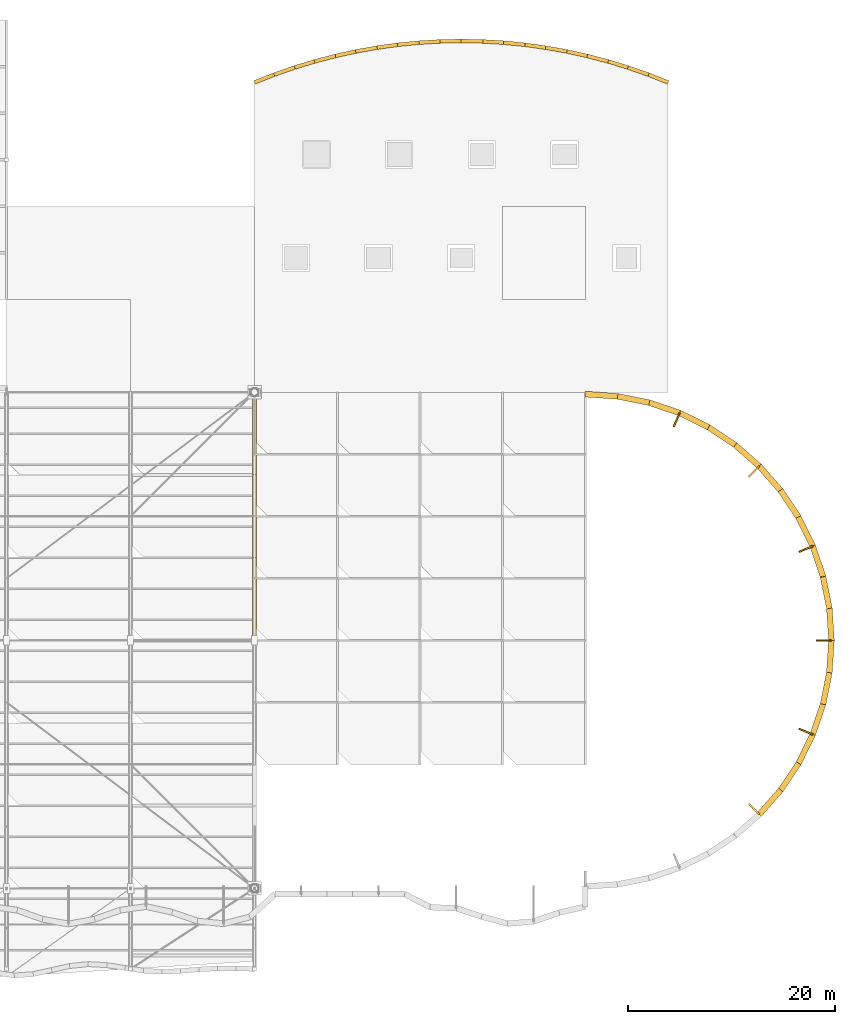
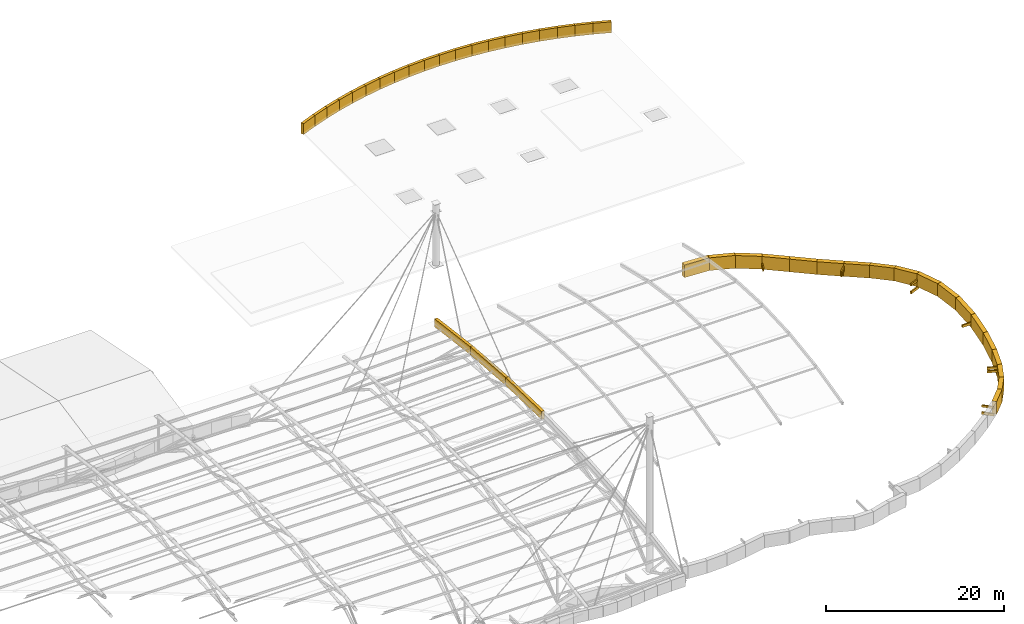
# One storey, part 27 of 29: 51 coverings.
"""IFC4 building model written with IfcOpenShell, lengths in metres."""

from ifc_helpers import new_model, si_unit, direction, frame, frame_2d, origin, place, context, subcontext, project, spatial, polyline, rectangle, outline, extrude, material, layer, layer_set, type_object, element, save


model = new_model("IFC4")

# Units and contexts
model_context = context("Model", 3, precision=1e-05, world=origin(), true_north=direction((0.0, 1.0)))
body_context = subcontext(model_context, "Body", "Model", "MODEL_VIEW")
ifc_project = project(units=[si_unit("LENGTHUNIT", "METRE"), si_unit("AREAUNIT", "SQUARE_METRE"), si_unit("VOLUMEUNIT", "CUBIC_METRE"), si_unit("PLANEANGLEUNIT", "RADIAN"), si_unit("MASSUNIT", "GRAM", prefix="KILO")], contexts=[model_context])

# Site, building, storey
site_placement = place(None, origin())
site = spatial("IfcSite", under=ifc_project, at=site_placement, CompositionType="ELEMENT")
building_placement = place(site_placement, origin())
building = spatial("IfcBuilding", under=site, at=building_placement, Name="Keelwater Ferry Terminal", CompositionType="ELEMENT")
storey_placement = place(building_placement, frame((0.0, 0.0, 27.89990234375)))
storey = spatial("IfcBuildingStorey", under=building, at=storey_placement, Name="RF", CompositionType="ELEMENT", Elevation=27.89990234375)

# Coverings
ifc_material = material(Name="Matte white architectural aluminium fascia ribbon", Category="aluminium")
ifc_layer = layer(ifc_material, 0.1201171875)
ifc_layer_set = layer_set([ifc_layer], Name="Matte white architectural aluminium fascia ribbon")
covering_type = type_object("IfcCoveringType", Name="RB-WHT Matte White Fascia Ribbon", PredefinedType="CLADDING", material=ifc_layer_set)
covering_1_placement = place(storey_placement, frame((180.826904296875, 49.137939453125, -13.31982421875), z_axis=(0.0, 0.0, 1.0), x_axis=(0.65931776004, 0.75186441018, 0.0)))
element("IfcCovering", 1, at=covering_1_placement, inside=storey, type_object=covering_type, Name="Overhanging Roof-Edge Wave Fascia Ribbon 660", PredefinedType="CLADDING", context=body_context, shape_type="SweptSolid", body=[
    extrude(outline(polyline([(0.0, 0.472900390625), (3.16552734375, 0.0), (3.16552734375, 1.75), (0.0, 2.222900390625), (0.0, 0.472900390625)])), frame((0.0, 0.280029296875, 0.0), z_axis=(0.0, -1.0, 0.0), x_axis=(1.0, 0.0, 0.0)), (0.0, 0.0, 1.0), 0.56005859375),
])
covering_2_placement = place(storey_placement, frame((180.843017578125, 49.156982421875, -12.11181640625), z_axis=(0.0, 0.0, 1.0), x_axis=(-0.707106781187, 0.707106781187, 0.0)))
element("IfcCovering", 2, at=covering_2_placement, inside=storey, type_object=covering_type, Name="Ribbon Horizontal Tie Bracket 663", PredefinedType="CLADDING", context=body_context, shape_type="SweptSolid", body=[
    extrude(rectangle(XDim=1.449462890625, YDim=0.159912109375, at=frame_2d((0.724609375, 0.0))), origin(), (0.0, 0.0, 1.0), 0.280029296875),
])
covering_3_placement = place(storey_placement, frame((180.843017578125, 49.156982421875, -13.119873046875), z_axis=(0.0, 0.0, 1.0), x_axis=(-0.707106781187, 0.707106781187, 0.0)))
element("IfcCovering", 3, at=covering_3_placement, inside=storey, type_object=covering_type, Name="Ribbon Roof Eave Tie Bracket 666", PredefinedType="CLADDING", context=body_context, shape_type="SweptSolid", body=[
    extrude(rectangle(XDim=1.449462890625, YDim=0.159912109375, at=frame_2d((0.724609375, 0.0))), origin(), (0.0, 0.0, 1.0), 0.340087890625),
])
covering_4_placement = place(storey_placement, frame((182.884033203125, 51.47802734375, -13.8837890625), z_axis=(0.0, 0.0, 1.0), x_axis=(0.55550058618, 0.831516144614, 0.0)))
element("IfcCovering", 4, at=covering_4_placement, inside=storey, type_object=covering_type, Name="Overhanging Roof-Edge Wave Fascia Ribbon 671", PredefinedType="CLADDING", context=body_context, shape_type="SweptSolid", body=[
    extrude(outline(polyline([(0.0, 0.56396484375), (3.16650390625, 0.0), (3.16650390625, 1.75), (0.0, 2.31396484375), (0.0, 0.56396484375)])), frame((0.0, 0.280029296875, 0.0), z_axis=(0.0, -1.0, 0.0), x_axis=(1.0, 0.0, 0.0)), (0.0, 0.0, 1.0), 0.56005859375),
])
covering_5_placement = place(storey_placement, frame((184.617919921875, 54.068115234375, -14.287841796875), z_axis=(0.0, 0.0, 1.0), x_axis=(0.442454846905, 0.896790782987, 0.0)))
element("IfcCovering", 5, at=covering_5_placement, inside=storey, type_object=covering_type, Name="Overhanging Roof-Edge Wave Fascia Ribbon 675", PredefinedType="CLADDING", context=body_context, shape_type="SweptSolid", body=[
    extrude(outline(polyline([(0.0, 0.404052734375), (3.16455078125, 0.0), (3.16455078125, 1.75), (0.0, 2.154052734375), (0.0, 0.404052734375)])), frame((0.0, 0.280029296875, 0.0), z_axis=(0.0, -1.0, 0.0), x_axis=(1.0, 0.0, 0.0)), (0.0, 0.0, 1.0), 0.56005859375),
])
covering_6_placement = place(storey_placement, frame((185.9990234375, 56.860107421875, -14.35400390625), z_axis=(0.0, 0.0, 1.0), x_axis=(0.321196336342, 0.94701262585, 0.0)))
element("IfcCovering", 6, at=covering_6_placement, inside=storey, type_object=covering_type, Name="Overhanging Roof-Edge Wave Fascia Ribbon 679", PredefinedType="CLADDING", context=body_context, shape_type="SweptSolid", body=[
    extrude(outline(polyline([(0.0, 0.066162109375), (3.16650390625, 0.0), (3.16650390625, 1.75), (0.0, 1.816162109375), (0.0, 0.066162109375)])), frame((0.0, 0.280029296875, 0.0), z_axis=(0.0, -1.0, 0.0), x_axis=(1.0, 0.0, 0.0)), (0.0, 0.0, 1.0), 0.56005859375),
])
covering_7_placement = place(storey_placement, frame((186.007080078125, 56.884033203125, -13.552978515625), z_axis=(0.0, 0.0, 1.0), x_axis=(-0.923916320312, 0.382594606681, 0.0)))
element("IfcCovering", 7, at=covering_7_placement, inside=storey, type_object=covering_type, Name="Ribbon Horizontal Tie Bracket 683", PredefinedType="CLADDING", context=body_context, shape_type="SweptSolid", body=[
    extrude(rectangle(XDim=1.450439453125, YDim=0.159912109375, at=frame_2d((0.72509765625, 0.0))), origin(), (0.0, 0.0, 1.0), 0.280029296875),
])
covering_8_placement = place(storey_placement, frame((186.007080078125, 56.884033203125, -13.119873046875), z_axis=(0.0, 0.0, 1.0), x_axis=(-0.923916320312, 0.382594606681, 0.0)))
element("IfcCovering", 8, at=covering_8_placement, inside=storey, type_object=covering_type, Name="Ribbon Roof Eave Tie Bracket 686", PredefinedType="CLADDING", context=body_context, shape_type="SweptSolid", body=[
    extrude(rectangle(XDim=1.450439453125, YDim=0.159912109375, at=frame_2d((0.72509765625, 0.0))), origin(), (0.0, 0.0, 1.0), 0.340087890625),
])
covering_9_placement = place(storey_placement, frame((187.0029296875, 59.81005859375, -14.35400390625), z_axis=(0.0, 0.0, 1.0), x_axis=(0.195196875454, 0.98076407959, 0.0)))
element("IfcCovering", 9, at=covering_9_placement, inside=storey, type_object=covering_type, Name="Overhanging Roof-Edge Wave Fascia Ribbon 691", PredefinedType="CLADDING", context=body_context, shape_type="SweptSolid", body=[
    extrude(outline(polyline([(0.0, 0.0), (3.1669921875, 0.30419921875), (3.1669921875, 2.05419921875), (0.0, 1.75), (0.0, 0.0)])), frame((0.0, 0.280029296875, 0.0), z_axis=(0.0, -1.0, 0.0), x_axis=(1.0, 0.0, 0.0)), (0.0, 0.0, 1.0), 0.56005859375),
])
covering_10_placement = place(storey_placement, frame((187.614013671875, 62.865966796875, -14.0498046875), z_axis=(0.0, 0.0, 1.0), x_axis=(0.065705147067, 0.997839082041, 0.0)))
element("IfcCovering", 10, at=covering_10_placement, inside=storey, type_object=covering_type, Name="Overhanging Roof-Edge Wave Fascia Ribbon 695", PredefinedType="CLADDING", context=body_context, shape_type="SweptSolid", body=[
    extrude(outline(polyline([(0.0, 0.0), (3.165771484375, 0.535888671875), (3.165771484375, 2.285888671875), (0.0, 1.75), (0.0, 0.0)])), frame((0.0, 0.280029296875, 0.0), z_axis=(0.0, -1.0, 0.0), x_axis=(1.0, 0.0, 0.0)), (0.0, 0.0, 1.0), 0.56005859375),
])
covering_11_placement = place(storey_placement, frame((187.822021484375, 65.97509765625, -13.513916015625), z_axis=(0.0, 0.0, 1.0), x_axis=(-0.065705147067, 0.997839082041, 0.0)))
element("IfcCovering", 11, at=covering_11_placement, inside=storey, type_object=covering_type, Name="Overhanging Roof-Edge Wave Fascia Ribbon 699", PredefinedType="CLADDING", context=body_context, shape_type="SweptSolid", body=[
    extrude(outline(polyline([(0.0, 0.0), (3.165771484375, 0.531982421875), (3.165771484375, 2.281982421875), (0.0, 1.75), (0.0, 0.0)])), frame((0.0, 0.280029296875, 0.0), z_axis=(0.0, -1.0, 0.0), x_axis=(1.0, 0.0, 0.0)), (0.0, 0.0, 1.0), 0.56005859375),
])
covering_12_placement = place(storey_placement, frame((187.820068359375, 66.0, -13.119873046875), z_axis=(0.0, 0.0, 1.0), x_axis=(-1.0, 0.0, 0.0)))
element("IfcCovering", 12, at=covering_12_placement, inside=storey, type_object=covering_type, Name="Ribbon Roof Eave Tie Bracket 704", PredefinedType="CLADDING", context=body_context, shape_type="SweptSolid", body=[
    extrude(rectangle(XDim=1.449951171875, YDim=0.159912109375, at=frame_2d((0.72509765625, 0.0))), origin(), (0.0, 0.0, 1.0), 0.340087890625),
])
covering_13_placement = place(storey_placement, frame((187.62109375, 69.083984375, -12.98193359375), z_axis=(0.0, 0.0, 1.0), x_axis=(-0.195196875454, 0.98076407959, 0.0)))
element("IfcCovering", 13, at=covering_13_placement, inside=storey, type_object=covering_type, Name="Overhanging Roof-Edge Wave Fascia Ribbon 709", PredefinedType="CLADDING", context=body_context, shape_type="SweptSolid", body=[
    extrude(outline(polyline([(0.0, 0.0), (3.1669921875, 0.2900390625), (3.1669921875, 2.0400390625), (0.0, 1.75), (0.0, 0.0)])), frame((0.0, 0.280029296875, 0.0), z_axis=(0.0, -1.0, 0.0), x_axis=(1.0, 0.0, 0.0)), (0.0, 0.0, 1.0), 0.56005859375),
])
covering_14_placement = place(storey_placement, frame((187.01611328125, 72.14111328125, -12.77197265625), z_axis=(0.0, 0.0, 1.0), x_axis=(-0.321196336342, 0.94701262585, 0.0)))
element("IfcCovering", 14, at=covering_14_placement, inside=storey, type_object=covering_type, Name="Overhanging Roof-Edge Wave Fascia Ribbon 713", PredefinedType="CLADDING", context=body_context, shape_type="SweptSolid", body=[
    extrude(outline(polyline([(0.0, 0.080078125), (3.16650390625, 0.0), (3.16650390625, 1.75), (0.0, 1.830078125), (0.0, 0.080078125)])), frame((0.0, 0.280029296875, 0.0), z_axis=(0.0, -1.0, 0.0), x_axis=(1.0, 0.0, 0.0)), (0.0, 0.0, 1.0), 0.56005859375),
])
covering_15_placement = place(storey_placement, frame((186.01806640625, 75.093994140625, -13.18701171875), z_axis=(0.0, 0.0, 1.0), x_axis=(-0.442454846905, 0.896790782987, 0.0)))
element("IfcCovering", 15, at=covering_15_placement, inside=storey, type_object=covering_type, Name="Overhanging Roof-Edge Wave Fascia Ribbon 717", PredefinedType="CLADDING", context=body_context, shape_type="SweptSolid", body=[
    extrude(outline(polyline([(0.0, 0.4150390625), (3.16455078125, 0.0), (3.16455078125, 1.75), (0.0, 2.1650390625), (0.0, 0.4150390625)])), frame((0.0, 0.280029296875, 0.0), z_axis=(0.0, -1.0, 0.0), x_axis=(1.0, 0.0, 0.0)), (0.0, 0.0, 1.0), 0.56005859375),
])
covering_16_placement = place(storey_placement, frame((186.007080078125, 75.115966796875, -12.036865234375), z_axis=(0.0, 0.0, 1.0), x_axis=(-0.923916320312, -0.382594606681, 0.0)))
element("IfcCovering", 16, at=covering_16_placement, inside=storey, type_object=covering_type, Name="Ribbon Horizontal Tie Bracket 720", PredefinedType="CLADDING", context=body_context, shape_type="SweptSolid", body=[
    extrude(rectangle(XDim=1.450439453125, YDim=0.159912109375, at=frame_2d((0.72509765625, 0.0))), origin(), (0.0, 0.0, 1.0), 0.280029296875),
])
covering_17_placement = place(storey_placement, frame((186.007080078125, 75.115966796875, -13.119873046875), z_axis=(0.0, 0.0, 1.0), x_axis=(-0.923916320312, -0.382594606681, 0.0)))
element("IfcCovering", 17, at=covering_17_placement, inside=storey, type_object=covering_type, Name="Ribbon Roof Eave Tie Bracket 723", PredefinedType="CLADDING", context=body_context, shape_type="SweptSolid", body=[
    extrude(rectangle(XDim=1.450439453125, YDim=0.159912109375, at=frame_2d((0.72509765625, 0.0))), origin(), (0.0, 0.0, 1.0), 0.340087890625),
])
covering_18_placement = place(storey_placement, frame((184.64306640625, 77.888916015625, -13.751953125), z_axis=(0.0, 0.0, 1.0), x_axis=(-0.55550058618, 0.831516144614, 0.0)))
element("IfcCovering", 18, at=covering_18_placement, inside=storey, type_object=covering_type, Name="Overhanging Roof-Edge Wave Fascia Ribbon 728", PredefinedType="CLADDING", context=body_context, shape_type="SweptSolid", body=[
    extrude(outline(polyline([(0.0, 0.56494140625), (3.16650390625, 0.0), (3.16650390625, 1.75), (0.0, 2.31494140625), (0.0, 0.56494140625)])), frame((0.0, 0.280029296875, 0.0), z_axis=(0.0, -1.0, 0.0), x_axis=(1.0, 0.0, 0.0)), (0.0, 0.0, 1.0), 0.56005859375),
])
covering_19_placement = place(storey_placement, frame((182.9140625, 80.48193359375, -14.216796875), z_axis=(0.0, 0.0, 1.0), x_axis=(-0.65931776004, 0.75186441018, 0.0)))
element("IfcCovering", 19, at=covering_19_placement, inside=storey, type_object=covering_type, Name="Overhanging Roof-Edge Wave Fascia Ribbon 732", PredefinedType="CLADDING", context=body_context, shape_type="SweptSolid", body=[
    extrude(outline(polyline([(0.0, 0.46484375), (3.16552734375, 0.0), (3.16552734375, 1.75), (0.0, 2.21484375), (0.0, 0.46484375)])), frame((0.0, 0.280029296875, 0.0), z_axis=(0.0, -1.0, 0.0), x_axis=(1.0, 0.0, 0.0)), (0.0, 0.0, 1.0), 0.56005859375),
])
covering_20_placement = place(storey_placement, frame((180.862060546875, 82.826904296875, -14.3740234375), z_axis=(0.0, 0.0, 1.0), x_axis=(-0.75186441018, 0.65931776004, 0.0)))
element("IfcCovering", 20, at=covering_20_placement, inside=storey, type_object=covering_type, Name="Overhanging Roof-Edge Wave Fascia Ribbon 736", PredefinedType="CLADDING", context=body_context, shape_type="SweptSolid", body=[
    extrude(outline(polyline([(0.0, 0.1572265625), (3.16552734375, 0.0), (3.16552734375, 1.75), (0.0, 1.9072265625), (0.0, 0.1572265625)])), frame((0.0, 0.280029296875, 0.0), z_axis=(0.0, -1.0, 0.0), x_axis=(1.0, 0.0, 0.0)), (0.0, 0.0, 1.0), 0.56005859375),
])
covering_21_placement = place(storey_placement, frame((180.843017578125, 82.843017578125, -13.48193359375), z_axis=(0.0, 0.0, 1.0), x_axis=(-0.707106781187, -0.707106781187, 0.0)))
element("IfcCovering", 21, at=covering_21_placement, inside=storey, type_object=covering_type, Name="Ribbon Horizontal Tie Bracket 740", PredefinedType="CLADDING", context=body_context, shape_type="SweptSolid", body=[
    extrude(rectangle(XDim=1.449462890625, YDim=0.159912109375, at=frame_2d((0.724609375, 0.0))), origin(), (0.0, 0.0, 1.0), 0.280029296875),
])
covering_22_placement = place(storey_placement, frame((180.843017578125, 82.843017578125, -13.119873046875), z_axis=(0.0, 0.0, 1.0), x_axis=(-0.707106781187, -0.707106781187, 0.0)))
element("IfcCovering", 22, at=covering_22_placement, inside=storey, type_object=covering_type, Name="Ribbon Roof Eave Tie Bracket 743", PredefinedType="CLADDING", context=body_context, shape_type="SweptSolid", body=[
    extrude(rectangle(XDim=1.449462890625, YDim=0.159912109375, at=frame_2d((0.724609375, 0.0))), origin(), (0.0, 0.0, 1.0), 0.340087890625),
])
covering_23_placement = place(storey_placement, frame((178.52197265625, 84.884033203125, -14.3740234375), z_axis=(0.0, 0.0, 1.0), x_axis=(-0.831516144614, 0.55550058618, 0.0)))
element("IfcCovering", 23, at=covering_23_placement, inside=storey, type_object=covering_type, Name="Overhanging Roof-Edge Wave Fascia Ribbon 748", PredefinedType="CLADDING", context=body_context, shape_type="SweptSolid", body=[
    extrude(outline(polyline([(0.0, 0.0), (3.16650390625, 0.22119140625), (3.16650390625, 1.97119140625), (0.0, 1.75), (0.0, 0.0)])), frame((0.0, 0.280029296875, 0.0), z_axis=(0.0, -1.0, 0.0), x_axis=(1.0, 0.0, 0.0)), (0.0, 0.0, 1.0), 0.56005859375),
])
covering_24_placement = place(storey_placement, frame((175.931884765625, 86.617919921875, -14.15283203125), z_axis=(0.0, 0.0, 1.0), x_axis=(-0.896790782987, 0.442454846905, 0.0)))
element("IfcCovering", 24, at=covering_24_placement, inside=storey, type_object=covering_type, Name="Overhanging Roof-Edge Wave Fascia Ribbon 752", PredefinedType="CLADDING", context=body_context, shape_type="SweptSolid", body=[
    extrude(outline(polyline([(0.0, 0.0), (3.16455078125, 0.4990234375), (3.16455078125, 2.2490234375), (0.0, 1.75), (0.0, 0.0)])), frame((0.0, 0.280029296875, 0.0), z_axis=(0.0, -1.0, 0.0), x_axis=(1.0, 0.0, 0.0)), (0.0, 0.0, 1.0), 0.56005859375),
])
covering_25_placement = place(storey_placement, frame((173.139892578125, 87.9990234375, -13.65380859375), z_axis=(0.0, 0.0, 1.0), x_axis=(-0.94701262585, 0.321196336342, 0.0)))
element("IfcCovering", 25, at=covering_25_placement, inside=storey, type_object=covering_type, Name="Overhanging Roof-Edge Wave Fascia Ribbon 756", PredefinedType="CLADDING", context=body_context, shape_type="SweptSolid", body=[
    extrude(outline(polyline([(0.0, 0.0), (3.16650390625, 0.556884765625), (3.16650390625, 2.306884765625), (0.0, 1.75), (0.0, 0.0)])), frame((0.0, 0.280029296875, 0.0), z_axis=(0.0, -1.0, 0.0), x_axis=(1.0, 0.0, 0.0)), (0.0, 0.0, 1.0), 0.56005859375),
])
covering_26_placement = place(storey_placement, frame((173.115966796875, 88.007080078125, -13.119873046875), z_axis=(0.0, 0.0, 1.0), x_axis=(-0.382594606681, -0.923916320312, 0.0)))
element("IfcCovering", 26, at=covering_26_placement, inside=storey, type_object=covering_type, Name="Ribbon Roof Eave Tie Bracket 761", PredefinedType="CLADDING", context=body_context, shape_type="SweptSolid", body=[
    extrude(rectangle(XDim=1.450439453125, YDim=0.159912109375, at=frame_2d((0.72509765625, 0.0))), origin(), (0.0, 0.0, 1.0), 0.340087890625),
])
covering_27_placement = place(storey_placement, frame((170.18994140625, 89.0029296875, -13.096923828125), z_axis=(0.0, 0.0, 1.0), x_axis=(-0.98076407959, 0.195196875454, 0.0)))
element("IfcCovering", 27, at=covering_27_placement, inside=storey, type_object=covering_type, Name="Overhanging Roof-Edge Wave Fascia Ribbon 766", PredefinedType="CLADDING", context=body_context, shape_type="SweptSolid", body=[
    extrude(outline(polyline([(0.0, 0.0), (3.1669921875, 0.366943359375), (3.1669921875, 2.116943359375), (0.0, 1.75), (0.0, 0.0)])), frame((0.0, 0.280029296875, 0.0), z_axis=(0.0, -1.0, 0.0), x_axis=(1.0, 0.0, 0.0)), (0.0, 0.0, 1.0), 0.56005859375),
])
covering_28_placement = place(storey_placement, frame((167.134033203125, 89.614013671875, -12.742919921875), z_axis=(0.0, 0.0, 1.0), x_axis=(-0.997839082041, 0.065705147067, 0.0)))
element("IfcCovering", 28, at=covering_28_placement, inside=storey, type_object=covering_type, Name="Overhanging Roof-Edge Wave Fascia Ribbon 770", PredefinedType="CLADDING", context=body_context, shape_type="SweptSolid", body=[
    extrude(outline(polyline([(0.0, 0.012939453125), (3.165771484375, 0.0), (3.165771484375, 1.75), (0.0, 1.762939453125), (0.0, 0.012939453125)])), frame((0.0, 0.280029296875, 0.0), z_axis=(0.0, -1.0, 0.0), x_axis=(1.0, 0.0, 0.0)), (0.0, 0.0, 1.0), 0.56005859375),
])
covering_29_placement = place(storey_placement, frame((132.0, 65.97509765625, -6.85595703125), z_axis=(0.0, 0.0, 1.0), x_axis=(0.0, 1.0, 0.0)))
element("IfcCovering", 29, at=covering_29_placement, inside=storey, type_object=covering_type, Name="Concourse Saddle Arch Verge Ribbon 829", PredefinedType="CLADDING", context=body_context, shape_type="SweptSolid", body=[
    extrude(outline(polyline([(0.0, 0.2060546875), (8.0498046875, 0.0), (8.0498046875, 1.10009765625), (0.0, 1.30615234375), (0.0, 0.2060546875)])), frame((0.0, 0.18994140625, 0.0), z_axis=(0.0, -1.0, 0.0), x_axis=(1.0, 0.0, 0.0)), (0.0, 0.0, 1.0), 0.3798828125),
])
covering_30_placement = place(storey_placement, frame((132.0, 73.97509765625, -7.471923828125), z_axis=(0.0, 0.0, 1.0), x_axis=(0.0, 1.0, 0.0)))
element("IfcCovering", 30, at=covering_30_placement, inside=storey, type_object=covering_type, Name="Concourse Saddle Arch Verge Ribbon 830", PredefinedType="CLADDING", context=body_context, shape_type="SweptSolid", body=[
    extrude(outline(polyline([(0.0, 0.615966796875), (8.0498046875, 0.0), (8.0498046875, 1.10009765625), (0.0, 1.716064453125), (0.0, 0.615966796875)])), frame((0.0, 0.18994140625, 0.0), z_axis=(0.0, -1.0, 0.0), x_axis=(1.0, 0.0, 0.0)), (0.0, 0.0, 1.0), 0.3798828125),
])
covering_31_placement = place(storey_placement, frame((132.0, 81.97509765625, -8.5), z_axis=(0.0, 0.0, 1.0), x_axis=(0.0, 1.0, 0.0)))
element("IfcCovering", 31, at=covering_31_placement, inside=storey, type_object=covering_type, Name="Concourse Saddle Arch Verge Ribbon 831", PredefinedType="CLADDING", context=body_context, shape_type="SweptSolid", body=[
    extrude(outline(polyline([(0.0, 1.028076171875), (8.0498046875, 0.0), (8.0498046875, 1.10009765625), (0.0, 2.128173828125), (0.0, 1.028076171875)])), frame((0.0, 0.18994140625, 0.0), z_axis=(0.0, -1.0, 0.0), x_axis=(1.0, 0.0, 0.0)), (0.0, 0.0, 1.0), 0.3798828125),
])
covering_32_placement = place(storey_placement, frame((172.02294921875, 119.990966796875, -0.2998046875), z_axis=(0.0, 0.0, 1.0), x_axis=(-0.93049717687, 0.366299063386, 0.0)))
element("IfcCovering", 32, at=covering_32_placement, inside=storey, type_object=covering_type, Name="Harbour Master Drum Cornice Ribbon 832", PredefinedType="CLADDING", context=body_context, shape_type="SweptSolid", body=[
    extrude(outline(polyline([(0.0, 0.0), (2.10205078125, 0.0), (2.10205078125, 1.5), (0.0, 1.5), (0.0, 0.0)])), frame((0.0, 0.18017578125, 0.0), z_axis=(0.0, -1.0, 0.0), x_axis=(1.0, 0.0, 0.0)), (0.0, 0.0, 1.0), 0.360107421875),
])
for number, where, z_axis, x_axis, name in (
    (33, (170.114013671875, 120.743896484375, -0.2998046875), (0.0, 0.0, 1.0), (-0.944300880676, 0.329083343174, 0.0), "Harbour Master Drum Cornice Ribbon 833"),
    (34, (168.176025390625, 121.4208984375, -0.2998046875), (0.0, 0.0, 1.0), (-0.95658105151, 0.291466450715, 0.0), "Harbour Master Drum Cornice Ribbon 834"),
):
    element("IfcCovering", number, at=place(storey_placement, frame(where, z_axis=z_axis, x_axis=x_axis)), inside=storey, type_object=covering_type, Name=name, PredefinedType="CLADDING", context=body_context, shape_type="SweptSolid", body=[
        extrude(outline(polyline([(0.0, 0.0), (2.103271484375, 0.0), (2.103271484375, 1.5), (0.0, 1.5), (0.0, 0.0)])), frame((0.0, 0.18017578125, 0.0), z_axis=(0.0, -1.0, 0.0), x_axis=(1.0, 0.0, 0.0)), (0.0, 0.0, 1.0), 0.360107421875),
    ])
covering_33_placement = place(storey_placement, frame((166.2119140625, 122.02099609375, -0.2998046875), z_axis=(0.0, 0.0, 1.0), x_axis=(-0.967311863735, 0.25358974403, 0.0)))
element("IfcCovering", 35, at=covering_33_placement, inside=storey, type_object=covering_type, Name="Harbour Master Drum Cornice Ribbon 835", PredefinedType="CLADDING", context=body_context, shape_type="SweptSolid", body=[
    extrude(outline(polyline([(0.0, 0.0), (2.1015625, 0.0), (2.1015625, 1.5), (0.0, 1.5), (0.0, 0.0)])), frame((0.0, 0.18017578125, 0.0), z_axis=(0.0, -1.0, 0.0), x_axis=(1.0, 0.0, 0.0)), (0.0, 0.0, 1.0), 0.360107421875),
])
covering_34_placement = place(storey_placement, frame((164.22705078125, 122.54296875, -0.2998046875), z_axis=(0.0, 0.0, 1.0), x_axis=(-0.976595212494, 0.215085543292, 0.0)))
element("IfcCovering", 36, at=covering_34_placement, inside=storey, type_object=covering_type, Name="Harbour Master Drum Cornice Ribbon 836", PredefinedType="CLADDING", context=body_context, shape_type="SweptSolid", body=[
    extrude(outline(polyline([(0.0, 0.0), (2.102294921875, 0.0), (2.102294921875, 1.5), (0.0, 1.5), (0.0, 0.0)])), frame((0.0, 0.18017578125, 0.0), z_axis=(0.0, -1.0, 0.0), x_axis=(1.0, 0.0, 0.0)), (0.0, 0.0, 1.0), 0.360107421875),
])
covering_35_placement = place(storey_placement, frame((162.222900390625, 122.986083984375, -0.2998046875), z_axis=(0.0, 0.0, 1.0), x_axis=(-0.984325514597, 0.176361223953, 0.0)))
element("IfcCovering", 37, at=covering_35_placement, inside=storey, type_object=covering_type, Name="Harbour Master Drum Cornice Ribbon 837", PredefinedType="CLADDING", context=body_context, shape_type="SweptSolid", body=[
    extrude(outline(polyline([(0.0, 0.0), (2.102783203125, 0.0), (2.102783203125, 1.5), (0.0, 1.5), (0.0, 0.0)])), frame((0.0, 0.18017578125, 0.0), z_axis=(0.0, -1.0, 0.0), x_axis=(1.0, 0.0, 0.0)), (0.0, 0.0, 1.0), 0.360107421875),
])
covering_36_placement = place(storey_placement, frame((160.202880859375, 123.35009765625, -0.2998046875), z_axis=(0.0, 0.0, 1.0), x_axis=(-0.990532638639, 0.137277426372, 0.0)))
element("IfcCovering", 38, at=covering_36_placement, inside=storey, type_object=covering_type, Name="Harbour Master Drum Cornice Ribbon 838", PredefinedType="CLADDING", context=body_context, shape_type="SweptSolid", body=[
    extrude(outline(polyline([(0.0, 0.0), (2.10400390625, 0.0), (2.10400390625, 1.5), (0.0, 1.5), (0.0, 0.0)])), frame((0.0, 0.18017578125, 0.0), z_axis=(0.0, -1.0, 0.0), x_axis=(1.0, 0.0, 0.0)), (0.0, 0.0, 1.0), 0.360107421875),
])
covering_37_placement = place(storey_placement, frame((158.1689453125, 123.634033203125, -0.2998046875), z_axis=(0.0, 0.0, 1.0), x_axis=(-0.995184418928, 0.098020264859, 0.0)))
element("IfcCovering", 39, at=covering_37_placement, inside=storey, type_object=covering_type, Name="Harbour Master Drum Cornice Ribbon 839", PredefinedType="CLADDING", context=body_context, shape_type="SweptSolid", body=[
    extrude(outline(polyline([(0.0, 0.0), (2.10205078125, 0.0), (2.10205078125, 1.5), (0.0, 1.5), (0.0, 0.0)])), frame((0.0, 0.18017578125, 0.0), z_axis=(0.0, -1.0, 0.0), x_axis=(1.0, 0.0, 0.0)), (0.0, 0.0, 1.0), 0.360107421875),
])
covering_38_placement = place(storey_placement, frame((156.126953125, 123.8369140625, -0.2998046875), z_axis=(0.0, 0.0, 1.0), x_axis=(-0.998287555487, 0.058497491916, 0.0)))
element("IfcCovering", 40, at=covering_38_placement, inside=storey, type_object=covering_type, Name="Harbour Master Drum Cornice Ribbon 840", PredefinedType="CLADDING", context=body_context, shape_type="SweptSolid", body=[
    extrude(outline(polyline([(0.0, 0.0), (2.103515625, 0.0), (2.103515625, 1.5), (0.0, 1.5), (0.0, 0.0)])), frame((0.0, 0.18017578125, 0.0), z_axis=(0.0, -1.0, 0.0), x_axis=(1.0, 0.0, 0.0)), (0.0, 0.0, 1.0), 0.360107421875),
])
for number, where, z_axis, x_axis, name in (
    (41, (154.076904296875, 123.958984375, -0.2998046875), (0.0, 0.0, 1.0), (-0.999809647259, 0.019510746979, 0.0), "Harbour Master Drum Cornice Ribbon 841"),
    (42, (152.02490234375, 124.0, -0.2998046875), (0.0, 0.0, 1.0), (-0.999809647259, -0.019510746979, 0.0), "Harbour Master Drum Cornice Ribbon 842"),
):
    element("IfcCovering", number, at=place(storey_placement, frame(where, z_axis=z_axis, x_axis=x_axis)), inside=storey, type_object=covering_type, Name=name, PredefinedType="CLADDING", context=body_context, shape_type="SweptSolid", body=[
        extrude(outline(polyline([(0.0, 0.0), (2.102294921875, 0.0), (2.102294921875, 1.5), (0.0, 1.5), (0.0, 0.0)])), frame((0.0, 0.18017578125, 0.0), z_axis=(0.0, -1.0, 0.0), x_axis=(1.0, 0.0, 0.0)), (0.0, 0.0, 1.0), 0.360107421875),
    ])
covering_39_placement = place(storey_placement, frame((149.972900390625, 123.9599609375, -0.2998046875), z_axis=(0.0, 0.0, 1.0), x_axis=(-0.998287555487, -0.058497491916, 0.0)))
element("IfcCovering", 43, at=covering_39_placement, inside=storey, type_object=covering_type, Name="Harbour Master Drum Cornice Ribbon 843", PredefinedType="CLADDING", context=body_context, shape_type="SweptSolid", body=[
    extrude(outline(polyline([(0.0, 0.0), (2.103515625, 0.0), (2.103515625, 1.5), (0.0, 1.5), (0.0, 0.0)])), frame((0.0, 0.18017578125, 0.0), z_axis=(0.0, -1.0, 0.0), x_axis=(1.0, 0.0, 0.0)), (0.0, 0.0, 1.0), 0.360107421875),
])
covering_40_placement = place(storey_placement, frame((147.923095703125, 123.840087890625, -0.2998046875), z_axis=(0.0, 0.0, 1.0), x_axis=(-0.995184418928, -0.098020264859, 0.0)))
element("IfcCovering", 44, at=covering_40_placement, inside=storey, type_object=covering_type, Name="Harbour Master Drum Cornice Ribbon 844", PredefinedType="CLADDING", context=body_context, shape_type="SweptSolid", body=[
    extrude(outline(polyline([(0.0, 0.0), (2.10205078125, 0.0), (2.10205078125, 1.5), (0.0, 1.5), (0.0, 0.0)])), frame((0.0, 0.18017578125, 0.0), z_axis=(0.0, -1.0, 0.0), x_axis=(1.0, 0.0, 0.0)), (0.0, 0.0, 1.0), 0.360107421875),
])
covering_41_placement = place(storey_placement, frame((145.881103515625, 123.638916015625, -0.2998046875), z_axis=(0.0, 0.0, 1.0), x_axis=(-0.990532638639, -0.137277426372, 0.0)))
element("IfcCovering", 45, at=covering_41_placement, inside=storey, type_object=covering_type, Name="Harbour Master Drum Cornice Ribbon 845", PredefinedType="CLADDING", context=body_context, shape_type="SweptSolid", body=[
    extrude(outline(polyline([(0.0, 0.0), (2.10400390625, 0.0), (2.10400390625, 1.5), (0.0, 1.5), (0.0, 0.0)])), frame((0.0, 0.18017578125, 0.0), z_axis=(0.0, -1.0, 0.0), x_axis=(1.0, 0.0, 0.0)), (0.0, 0.0, 1.0), 0.360107421875),
])
covering_42_placement = place(storey_placement, frame((143.846923828125, 123.35693359375, -0.2998046875), z_axis=(0.0, 0.0, 1.0), x_axis=(-0.984325514597, -0.176361223953, 0.0)))
element("IfcCovering", 46, at=covering_42_placement, inside=storey, type_object=covering_type, Name="Harbour Master Drum Cornice Ribbon 846", PredefinedType="CLADDING", context=body_context, shape_type="SweptSolid", body=[
    extrude(outline(polyline([(0.0, 0.0), (2.102783203125, 0.0), (2.102783203125, 1.5), (0.0, 1.5), (0.0, 0.0)])), frame((0.0, 0.18017578125, 0.0), z_axis=(0.0, -1.0, 0.0), x_axis=(1.0, 0.0, 0.0)), (0.0, 0.0, 1.0), 0.360107421875),
])
covering_43_placement = place(storey_placement, frame((141.825927734375, 122.9951171875, -0.2998046875), z_axis=(0.0, 0.0, 1.0), x_axis=(-0.976595212494, -0.215085543292, 0.0)))
element("IfcCovering", 47, at=covering_43_placement, inside=storey, type_object=covering_type, Name="Harbour Master Drum Cornice Ribbon 847", PredefinedType="CLADDING", context=body_context, shape_type="SweptSolid", body=[
    extrude(outline(polyline([(0.0, 0.0), (2.102294921875, 0.0), (2.102294921875, 1.5), (0.0, 1.5), (0.0, 0.0)])), frame((0.0, 0.18017578125, 0.0), z_axis=(0.0, -1.0, 0.0), x_axis=(1.0, 0.0, 0.0)), (0.0, 0.0, 1.0), 0.360107421875),
])
covering_44_placement = place(storey_placement, frame((139.821044921875, 122.553955078125, -0.2998046875), z_axis=(0.0, 0.0, 1.0), x_axis=(-0.967311863735, -0.25358974403, 0.0)))
element("IfcCovering", 48, at=covering_44_placement, inside=storey, type_object=covering_type, Name="Harbour Master Drum Cornice Ribbon 848", PredefinedType="CLADDING", context=body_context, shape_type="SweptSolid", body=[
    extrude(outline(polyline([(0.0, 0.0), (2.1015625, 0.0), (2.1015625, 1.5), (0.0, 1.5), (0.0, 0.0)])), frame((0.0, 0.18017578125, 0.0), z_axis=(0.0, -1.0, 0.0), x_axis=(1.0, 0.0, 0.0)), (0.0, 0.0, 1.0), 0.360107421875),
])
for number, where, z_axis, x_axis, name in (
    (49, (137.8359375, 122.033935546875, -0.2998046875), (0.0, 0.0, 1.0), (-0.95658105151, -0.291466450715, 0.0), "Harbour Master Drum Cornice Ribbon 849"),
    (50, (135.8720703125, 121.43603515625, -0.2998046875), (0.0, 0.0, 1.0), (-0.944300880676, -0.329083343174, 0.0), "Harbour Master Drum Cornice Ribbon 850"),
):
    element("IfcCovering", number, at=place(storey_placement, frame(where, z_axis=z_axis, x_axis=x_axis)), inside=storey, type_object=covering_type, Name=name, PredefinedType="CLADDING", context=body_context, shape_type="SweptSolid", body=[
        extrude(outline(polyline([(0.0, 0.0), (2.103271484375, 0.0), (2.103271484375, 1.5), (0.0, 1.5), (0.0, 0.0)])), frame((0.0, 0.18017578125, 0.0), z_axis=(0.0, -1.0, 0.0), x_axis=(1.0, 0.0, 0.0)), (0.0, 0.0, 1.0), 0.360107421875),
    ])
covering_45_placement = place(storey_placement, frame((133.93310546875, 120.760986328125, -0.2998046875), z_axis=(0.0, 0.0, 1.0), x_axis=(-0.93049717687, -0.366299063386, 0.0)))
element("IfcCovering", 51, at=covering_45_placement, inside=storey, type_object=covering_type, Name="Harbour Master Drum Cornice Ribbon 851", PredefinedType="CLADDING", context=body_context, shape_type="SweptSolid", body=[
    extrude(outline(polyline([(0.0, 0.0), (2.10205078125, 0.0), (2.10205078125, 1.5), (0.0, 1.5), (0.0, 0.0)])), frame((0.0, 0.18017578125, 0.0), z_axis=(0.0, -1.0, 0.0), x_axis=(1.0, 0.0, 0.0)), (0.0, 0.0, 1.0), 0.360107421875),
])

save(model, "model.ifc")
